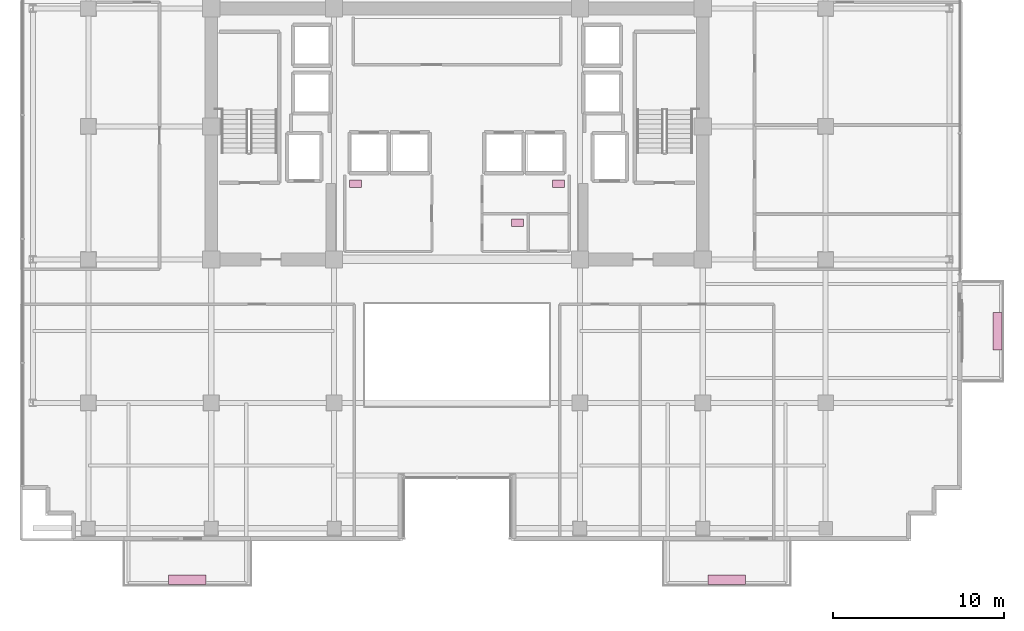
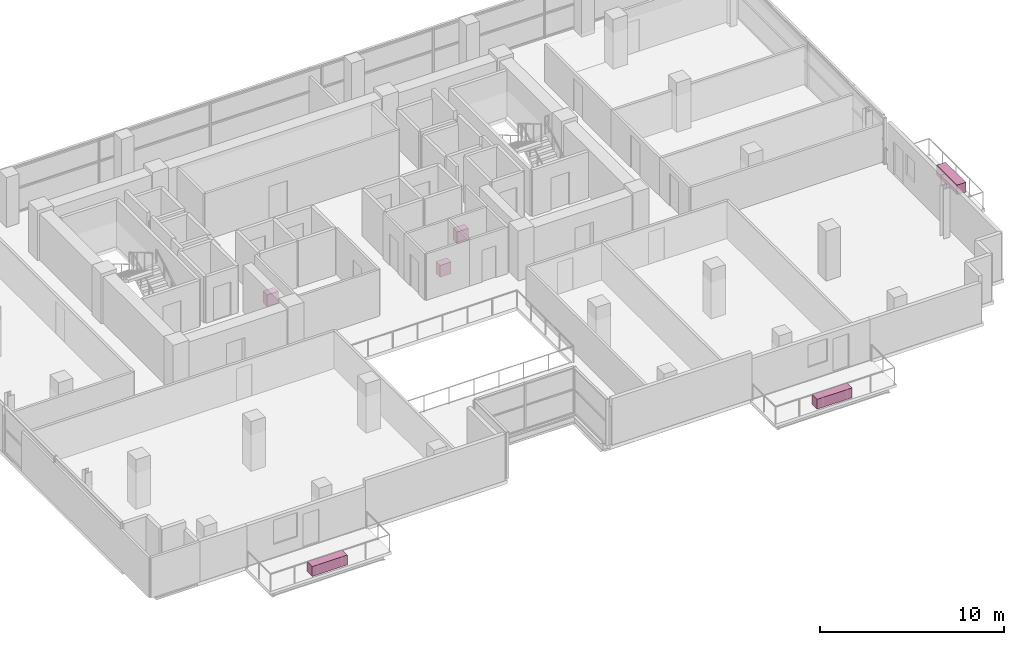
# One storey, part 25 of 25: 6 furnishings.
"""IFC4 building model written with IfcOpenShell, lengths in metres."""

from ifc_helpers import new_model, si_unit, direction, frame, origin, origin_2d, place, context, subcontext, project, spatial, rectangle, extrude, source, transform, mapped, material, type_object, element, save


model = new_model("IFC4")

# Units and contexts
model_context = context("Model", 3, precision=1e-05, world=origin(), true_north=direction((0.0, 1.0)))
body_context = subcontext(model_context, "Body", "Model", "MODEL_VIEW")
ifc_project = project(units=[si_unit("LENGTHUNIT", "METRE"), si_unit("AREAUNIT", "SQUARE_METRE"), si_unit("VOLUMEUNIT", "CUBIC_METRE"), si_unit("PLANEANGLEUNIT", "RADIAN"), si_unit("MASSUNIT", "GRAM", prefix="KILO")], contexts=[model_context])

# Site, building, storey
site_placement = place(None, origin())
site = spatial("IfcSite", under=ifc_project, at=site_placement, CompositionType="ELEMENT")
building_placement = place(site_placement, origin())
building = spatial("IfcBuilding", under=site, at=building_placement, Name="Zarnakvel Exchange Tower", CompositionType="ELEMENT")
storey_placement = place(building_placement, frame((0.0, 0.0, 126.39990234375)))
storey = spatial("IfcBuildingStorey", under=building, at=storey_placement, Name="L35", CompositionType="ELEMENT", Elevation=126.39990234375)

# Furnishings
ifc_material_1 = material(Name="Architectural Bronze Anodised Aluminium", Category="aluminium")
furnishing_element_type_1 = type_object("IfcFurnishingElementType", Name="PLNT-01", material=ifc_material_1)
shared_shape_1 = source(origin(), body_context, "Body", "SweptSolid", [
    extrude(rectangle(XDim=2.199951171875, YDim=0.550048828125, at=origin_2d()), origin(), (0.0, 0.0, 1.0), 0.64990234375),
])
for number, where, z_axis, x_axis, name in (
    (1, (-15.800048828125, -19.969970703125, -0.034912109375), (0.0, 0.0, 1.0), (1.0, 0.0, 0.0), "L35 Balcony Greenery Planter BAL-L35-SW"),
    (2, (15.800048828125, -19.969970703125, -0.034912109375), (0.0, 0.0, 1.0), (1.0, 0.0, 0.0), "L35 Balcony Greenery Planter BAL-L35-SE"),
    (3, (31.669921875, -5.39990234375, -0.034912109375), (0.0, 0.0, 1.0), (0.0, 1.0, 0.0), "L35 Balcony Greenery Planter BAL-L35-E"),
):
    element("IfcFurnishingElement", number, at=place(storey_placement, frame(where, z_axis=z_axis, x_axis=x_axis)), inside=storey, type_object=furnishing_element_type_1, Name=name, ObjectType="PLANTER", context=body_context, shape_type="MappedRepresentation", body=[
        mapped(shared_shape_1, transform((0.0, 0.0, 0.0), x_axis=(1.0, 0.0, 0.0), y_axis=(0.0, 1.0, 0.0), z_axis=(0.0, 0.0, 1.0), scale=1.0)),
    ])
ifc_material_2 = material(Name="Vitreous China Sanitaryware", Category="ceramic")
furnishing_element_type_2 = type_object("IfcFurnishingElementType", Name="SAN-WC", material=ifc_material_2)
shared_shape_2 = source(origin(), body_context, "Body", "SweptSolid", [
    extrude(rectangle(XDim=0.699951171875, YDim=0.449951171875, at=origin_2d()), origin(), (0.0, 0.0, 1.0), 0.780029296875),
])
for number, where, z_axis, x_axis, name in (
    (4, (-5.949951171875, 3.22998046875, 0.0), (0.0, 0.0, 1.0), (1.0, 0.0, 0.0), "L35 Sanitary Fixture (Male Toilet)"),
    (5, (5.949951171875, 3.22998046875, 0.0), (0.0, 0.0, 1.0), (1.0, 0.0, 0.0), "L35 Sanitary Fixture (Female Toilet)"),
    (6, (3.550048828125, 0.949951171875, 0.0), (0.0, 0.0, 1.0), (1.0, 0.0, 0.0), "L35 Sanitary Fixture (Accessible Toilet)"),
):
    element("IfcFurnishingElement", number, at=place(storey_placement, frame(where, z_axis=z_axis, x_axis=x_axis)), inside=storey, type_object=furnishing_element_type_2, Name=name, ObjectType="SANITARY_FIXTURE", context=body_context, shape_type="MappedRepresentation", body=[
        mapped(shared_shape_2, transform((0.0, 0.0, 0.0), x_axis=(1.0, 0.0, 0.0), y_axis=(0.0, 1.0, 0.0), z_axis=(0.0, 0.0, 1.0), scale=1.0)),
    ])

save(model, "model.ifc")
